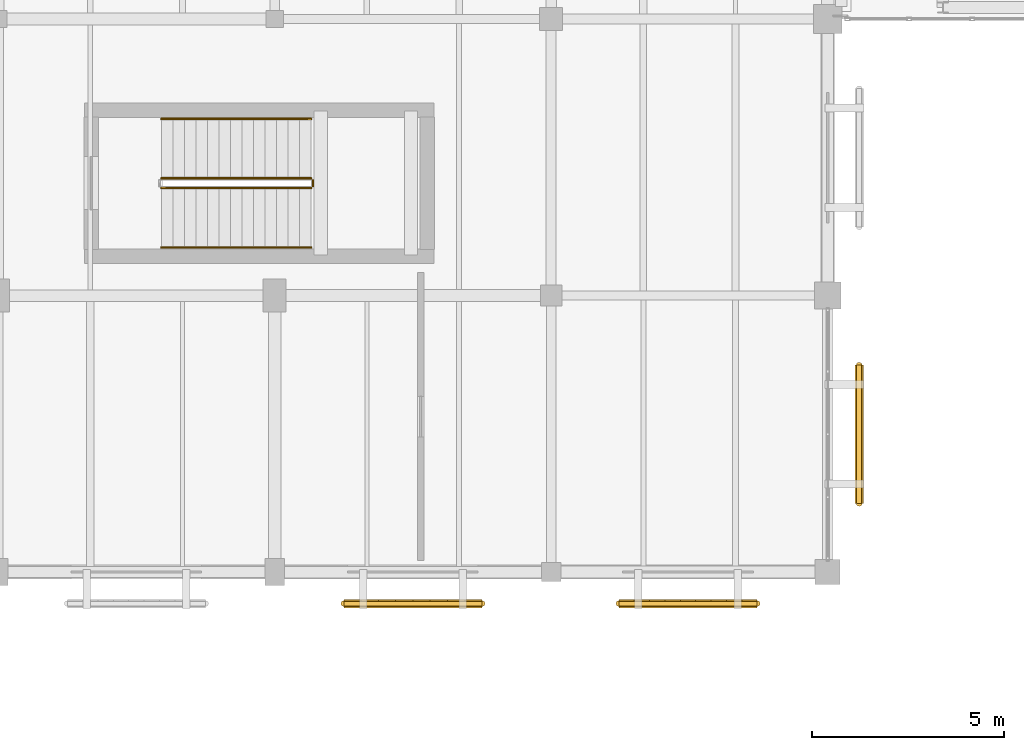
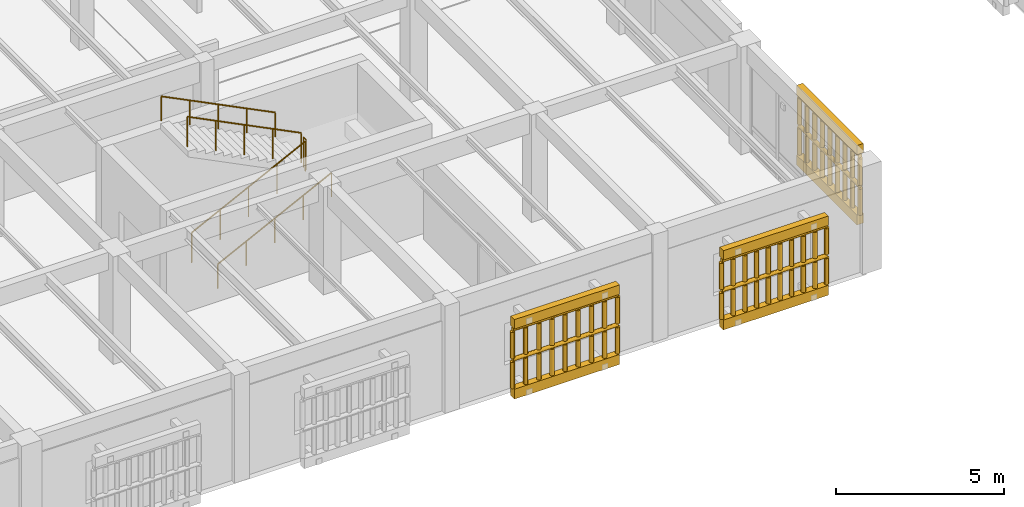
# One storey, part 149 of 170: 11 railings, 6 coverings.
"""IFC4 building model written with IfcOpenShell, lengths in metres."""

from ifc_helpers import new_model, si_unit, direction, frame, origin, origin_2d, place, context, subcontext, project, spatial, polyline, circle, outline, extrude, material, layer, layer_set, type_object, element, save


model = new_model("IFC4")

# Units and contexts
model_context = context("Model", 3, precision=1e-05, world=origin(), true_north=direction((0.0, 1.0)))
body_context = subcontext(model_context, "Body", "Model", "MODEL_VIEW")
ifc_project = project(units=[si_unit("LENGTHUNIT", "METRE"), si_unit("AREAUNIT", "SQUARE_METRE"), si_unit("VOLUMEUNIT", "CUBIC_METRE"), si_unit("PLANEANGLEUNIT", "RADIAN"), si_unit("MASSUNIT", "GRAM", prefix="KILO")], contexts=[model_context])

# Site, building, storey
site_placement = place(None, origin())
site = spatial("IfcSite", under=ifc_project, at=site_placement, CompositionType="ELEMENT")
building_placement = place(site_placement, origin())
building = spatial("IfcBuilding", under=site, at=building_placement, Name="Mazaris Harbour Polytechnic", CompositionType="ELEMENT")
storey_placement = place(building_placement, frame((0.0, 0.0, 5.39990234375)))
storey = spatial("IfcBuildingStorey", under=building, at=storey_placement, Name="L01", CompositionType="ELEMENT", Elevation=5.39990234375)

# Railings
ifc_material_1 = material(Name="Perforated Earth-Coloured Terracotta Block", Category="masonry")
railing_type_1 = type_object("IfcRailingType", Name="Perforated Earth-Block Claustra Lattice 1040", PredefinedType="BALUSTRADE", material=ifc_material_1)
for number, where, name in (
    (1, (34.199951171875, 6.3798828125, 0.52001953125), "V4 L01 Lower Perforated Terracotta Block Screen 159"),
    (2, (34.199951171875, 6.3798828125, 1.610107421875), "V4 L01 Upper Perforated Terracotta Block Screen 159"),
):
    element("IfcRailing", number, at=place(storey_placement, frame(where)), inside=storey, type_object=railing_type_1, Name=name, PredefinedType="BALUSTRADE", context=body_context, shape_type="SweptSolid", body=[
        extrude(circle(Radius=0.06982421875, at=origin_2d()), frame((0.0, 0.0, 1.02001953125), z_axis=(-1.0, 0.0, 0.0), x_axis=(0.0, -1.0, 0.0)), (0.0, 0.0, 1.0), 3.599853515625),
        extrude(circle(Radius=0.074951171875, at=origin_2d()), origin(), (0.0, 0.0, 1.0), 0.9501953125),
        extrude(circle(Radius=0.074951171875, at=origin_2d()), frame((-0.449951171875, 0.0, 0.0)), (0.0, 0.0, 1.0), 0.9501953125),
        extrude(circle(Radius=0.074951171875, at=origin_2d()), frame((-0.89990234375, 0.0, 0.0)), (0.0, 0.0, 1.0), 0.9501953125),
        extrude(circle(Radius=0.074951171875, at=origin_2d()), frame((-1.349853515625, 0.0, 0.0)), (0.0, 0.0, 1.0), 0.9501953125),
        extrude(circle(Radius=0.074951171875, at=origin_2d()), frame((-1.7998046875, 0.0, 0.0)), (0.0, 0.0, 1.0), 0.9501953125),
        extrude(circle(Radius=0.074951171875, at=origin_2d()), frame((-2.25, 0.0, 0.0)), (0.0, 0.0, 1.0), 0.9501953125),
        extrude(circle(Radius=0.074951171875, at=origin_2d()), frame((-2.699951171875, 0.0, 0.0)), (0.0, 0.0, 1.0), 0.9501953125),
        extrude(circle(Radius=0.074951171875, at=origin_2d()), frame((-3.14990234375, 0.0, 0.0)), (0.0, 0.0, 1.0), 0.9501953125),
        extrude(circle(Radius=0.074951171875, at=origin_2d()), frame((-3.599853515625, 0.0, 0.0)), (0.0, 0.0, 1.0), 0.9501953125),
    ])
for number, where, name in (
    (3, (41.362548828125, 6.3798828125, 0.52001953125), "V4 L01 Lower Perforated Terracotta Block Screen 160"),
    (4, (41.362548828125, 6.3798828125, 1.60498046875), "V4 L01 Upper Perforated Terracotta Block Screen 160"),
):
    element("IfcRailing", number, at=place(storey_placement, frame(where)), inside=storey, type_object=railing_type_1, Name=name, PredefinedType="BALUSTRADE", context=body_context, shape_type="SweptSolid", body=[
        extrude(circle(Radius=0.06982421875, at=origin_2d()), frame((0.0, 0.0, 1.01513671875), z_axis=(-1.0, 0.0, 0.0), x_axis=(0.0, -1.0, 0.0)), (0.0, 0.0, 1.0), 3.60009765625),
        extrude(circle(Radius=0.074951171875, at=origin_2d()), origin(), (0.0, 0.0, 1.0), 0.945068359375),
        extrude(circle(Radius=0.074951171875, at=origin_2d()), frame((-0.39990234375, 0.0, 0.0)), (0.0, 0.0, 1.0), 0.945068359375),
        extrude(circle(Radius=0.074951171875, at=origin_2d()), frame((-0.800048828125, 0.0, 0.0)), (0.0, 0.0, 1.0), 0.945068359375),
        extrude(circle(Radius=0.074951171875, at=origin_2d()), frame((-1.199951171875, 0.0, 0.0)), (0.0, 0.0, 1.0), 0.945068359375),
        extrude(circle(Radius=0.074951171875, at=origin_2d()), frame((-1.60009765625, 0.0, 0.0)), (0.0, 0.0, 1.0), 0.945068359375),
        extrude(circle(Radius=0.074951171875, at=origin_2d()), frame((-2.0, 0.0, 0.0)), (0.0, 0.0, 1.0), 0.945068359375),
        extrude(circle(Radius=0.074951171875, at=origin_2d()), frame((-2.400146484375, 0.0, 0.0)), (0.0, 0.0, 1.0), 0.945068359375),
        extrude(circle(Radius=0.074951171875, at=origin_2d()), frame((-2.800048828125, 0.0, 0.0)), (0.0, 0.0, 1.0), 0.945068359375),
        extrude(circle(Radius=0.074951171875, at=origin_2d()), frame((-3.2001953125, 0.0, 0.0)), (0.0, 0.0, 1.0), 0.945068359375),
        extrude(circle(Radius=0.074951171875, at=origin_2d()), frame((-3.60009765625, 0.0, 0.0)), (0.0, 0.0, 1.0), 0.945068359375),
    ])
for number, where, name in (
    (5, (44.02001953125, 12.58740234375, 0.52001953125), "V4 L01 Lower Perforated Terracotta Block Screen 179"),
    (6, (44.02001953125, 12.58740234375, 1.610107421875), "V4 L01 Upper Perforated Terracotta Block Screen 179"),
):
    element("IfcRailing", number, at=place(storey_placement, frame(where)), inside=storey, type_object=railing_type_1, Name=name, PredefinedType="BALUSTRADE", context=body_context, shape_type="SweptSolid", body=[
        extrude(circle(Radius=0.06982421875, at=origin_2d()), frame((0.0, 0.0, 1.02001953125), z_axis=(0.0, -1.0, 0.0), x_axis=(1.0, 0.0, 0.0)), (0.0, 0.0, 1.0), 3.599853515625),
        extrude(circle(Radius=0.074951171875, at=origin_2d()), origin(), (0.0, 0.0, 1.0), 0.9501953125),
        extrude(circle(Radius=0.074951171875, at=origin_2d()), frame((0.0, -0.449951171875, 0.0)), (0.0, 0.0, 1.0), 0.9501953125),
        extrude(circle(Radius=0.074951171875, at=origin_2d()), frame((0.0, -0.89990234375, 0.0)), (0.0, 0.0, 1.0), 0.9501953125),
        extrude(circle(Radius=0.074951171875, at=origin_2d()), frame((0.0, -1.349853515625, 0.0)), (0.0, 0.0, 1.0), 0.9501953125),
        extrude(circle(Radius=0.074951171875, at=origin_2d()), frame((0.0, -1.7998046875, 0.0)), (0.0, 0.0, 1.0), 0.9501953125),
        extrude(circle(Radius=0.074951171875, at=origin_2d()), frame((0.0, -2.25, 0.0)), (0.0, 0.0, 1.0), 0.9501953125),
        extrude(circle(Radius=0.074951171875, at=origin_2d()), frame((0.0, -2.699951171875, 0.0)), (0.0, 0.0, 1.0), 0.9501953125),
        extrude(circle(Radius=0.074951171875, at=origin_2d()), frame((0.0, -3.14990234375, 0.0)), (0.0, 0.0, 1.0), 0.9501953125),
        extrude(circle(Radius=0.074951171875, at=origin_2d()), frame((0.0, -3.599853515625, 0.0)), (0.0, 0.0, 1.0), 0.9501953125),
    ])
ifc_material_2 = material(Name="Stainless Steel S355", Category="steel")
railing_type_2 = type_object("IfcRailingType", Name="Stair Wall Handrail 900", PredefinedType="HANDRAIL", material=ifc_material_2)
railing_1_placement = place(storey_placement, frame((25.85009765625, 15.64990234375, 0.150146484375)))
element("IfcRailing", 7, at=railing_1_placement, inside=storey, type_object=railing_type_2, Name="L01 ST08 stair handrail 1", PredefinedType="HANDRAIL", context=body_context, shape_type="SweptSolid", body=[
    extrude(circle(Radius=0.02392578125, at=origin_2d()), frame((0.0, 0.0, 0.8759765625), z_axis=(0.894427191, 0.0, 0.4472135955), x_axis=(0.0, 1.0, 0.0)), (0.0, 0.0, 1.0), 4.360107421875),
    extrude(circle(Radius=0.02099609375, at=origin_2d()), origin(), (0.0, 0.0, 1.0), 0.851806640625),
    extrude(circle(Radius=0.02099609375, at=origin_2d()), frame((0.97509765625, 0.0, 0.487548828125)), (0.0, 0.0, 1.0), 0.851806640625),
    extrude(circle(Radius=0.02099609375, at=origin_2d()), frame((1.949951171875, 0.0, 0.97509765625)), (0.0, 0.0, 1.0), 0.851806640625),
    extrude(circle(Radius=0.02099609375, at=origin_2d()), frame((2.9248046875, 0.0, 1.46240234375)), (0.0, 0.0, 1.0), 0.851806640625),
    extrude(circle(Radius=0.02099609375, at=origin_2d()), frame((3.89990234375, 0.0, 1.949951171875)), (0.0, 0.0, 1.0), 0.851806640625),
])
railing_2_placement = place(storey_placement, frame((29.75, 19.0, 2.25)))
element("IfcRailing", 8, at=railing_2_placement, inside=storey, type_object=railing_type_2, Name="L01 ST08 stair handrail 2", PredefinedType="HANDRAIL", context=body_context, shape_type="SweptSolid", body=[
    extrude(circle(Radius=0.02392578125, at=origin_2d()), frame((0.0, 0.0, 0.8759765625), z_axis=(-0.894404793364, 0.0, 0.447258387967), x_axis=(0.0, -1.0, 0.0)), (0.0, 0.0, 1.0), 4.3603515625),
    extrude(circle(Radius=0.02099609375, at=origin_2d()), origin(), (0.0, 0.0, 1.0), 0.851806640625),
    extrude(circle(Radius=0.02099609375, at=origin_2d()), frame((-0.97509765625, 0.0, 0.487548828125)), (0.0, 0.0, 1.0), 0.851806640625),
    extrude(circle(Radius=0.02099609375, at=origin_2d()), frame((-1.949951171875, 0.0, 0.97509765625)), (0.0, 0.0, 1.0), 0.851806640625),
    extrude(circle(Radius=0.02099609375, at=origin_2d()), frame((-2.9248046875, 0.0, 1.462646484375)), (0.0, 0.0, 1.0), 0.851806640625),
    extrude(circle(Radius=0.02099609375, at=origin_2d()), frame((-3.89990234375, 0.0, 1.9501953125)), (0.0, 0.0, 1.0), 0.851806640625),
])
ifc_material_3 = material(Name="Steel S355", Category="steel")
railing_type_3 = type_object("IfcRailingType", Name="Stair Well Guardrail 1100", PredefinedType="GUARDRAIL", material=ifc_material_3)
railing_3_placement = place(storey_placement, frame((25.85009765625, 17.199951171875, 0.150146484375)))
element("IfcRailing", 9, at=railing_3_placement, inside=storey, type_object=railing_type_3, Name="L01 ST08 stair guard 1", PredefinedType="GUARDRAIL", context=body_context, shape_type="SweptSolid", body=[
    extrude(circle(Radius=0.02392578125, at=origin_2d()), frame((0.0, 0.0, 1.076171875), z_axis=(0.894427191, 0.0, 0.4472135955), x_axis=(0.0, 1.0, 0.0)), (0.0, 0.0, 1.0), 4.360107421875),
    extrude(circle(Radius=0.02099609375, at=origin_2d()), origin(), (0.0, 0.0, 1.0), 1.052001953125),
    extrude(circle(Radius=0.02099609375, at=origin_2d()), frame((0.97509765625, 0.0, 0.487548828125)), (0.0, 0.0, 1.0), 1.052001953125),
    extrude(circle(Radius=0.02099609375, at=origin_2d()), frame((1.949951171875, 0.0, 0.97509765625)), (0.0, 0.0, 1.0), 1.052001953125),
    extrude(circle(Radius=0.02099609375, at=origin_2d()), frame((2.9248046875, 0.0, 1.46240234375)), (0.0, 0.0, 1.0), 1.052001953125),
    extrude(circle(Radius=0.02099609375, at=origin_2d()), frame((3.89990234375, 0.0, 1.949951171875)), (0.0, 0.0, 1.0), 1.052001953125),
])
railing_4_placement = place(storey_placement, frame((29.800048828125, 17.25, 2.10009765625)))
element("IfcRailing", 10, at=railing_4_placement, inside=storey, type_object=railing_type_3, Name="L01 ST08 stair guard 2", PredefinedType="GUARDRAIL", context=body_context, shape_type="SweptSolid", body=[
    extrude(circle(Radius=0.02392578125, at=origin_2d()), frame((0.0, 0.0, 1.076171875), z_axis=(0.0, 1.0, 0.0), x_axis=(-1.0, 0.0, 0.0)), (0.0, 0.0, 1.0), 0.14990234375),
    extrude(circle(Radius=0.02099609375, at=origin_2d()), origin(), (0.0, 0.0, 1.0), 1.052001953125),
    extrude(circle(Radius=0.02099609375, at=origin_2d()), frame((0.0, 0.14990234375, 0.0)), (0.0, 0.0, 1.0), 1.052001953125),
])
railing_5_placement = place(storey_placement, frame((29.75, 17.449951171875, 2.25)))
element("IfcRailing", 11, at=railing_5_placement, inside=storey, type_object=railing_type_3, Name="L01 ST08 stair guard 3", PredefinedType="GUARDRAIL", context=body_context, shape_type="SweptSolid", body=[
    extrude(circle(Radius=0.02392578125, at=origin_2d()), frame((0.0, 0.0, 1.076171875), z_axis=(-0.894404793364, 0.0, 0.447258387967), x_axis=(0.0, -1.0, 0.0)), (0.0, 0.0, 1.0), 4.3603515625),
    extrude(circle(Radius=0.02099609375, at=origin_2d()), origin(), (0.0, 0.0, 1.0), 1.052001953125),
    extrude(circle(Radius=0.02099609375, at=origin_2d()), frame((-0.97509765625, 0.0, 0.487548828125)), (0.0, 0.0, 1.0), 1.052001953125),
    extrude(circle(Radius=0.02099609375, at=origin_2d()), frame((-1.949951171875, 0.0, 0.97509765625)), (0.0, 0.0, 1.0), 1.052001953125),
    extrude(circle(Radius=0.02099609375, at=origin_2d()), frame((-2.9248046875, 0.0, 1.462646484375)), (0.0, 0.0, 1.0), 1.052001953125),
    extrude(circle(Radius=0.02099609375, at=origin_2d()), frame((-3.89990234375, 0.0, 1.9501953125)), (0.0, 0.0, 1.0), 1.052001953125),
])

# Coverings
ifc_material_4 = material(Name="Perforated Earth-Coloured Terracotta Block", Category="masonry")
ifc_layer = layer(ifc_material_4, 0.219970703125, Name="Perforated Earth-Coloured Terracotta Block")
ifc_layer_set = layer_set([ifc_layer], Name="Perforated Earth-Coloured Terracotta Block")
covering_type = type_object("IfcCoveringType", Name="Terracotta Screen Course Cladding 220", PredefinedType="CLADDING", material=ifc_layer_set)
covering_1_placement = place(storey_placement, frame((0.0, 0.0, 0.16015625)))
element("IfcCovering", 12, at=covering_1_placement, inside=storey, type_object=covering_type, Name="V4 L01 Perforated Screen Sill Course 159", PredefinedType="CLADDING", context=body_context, shape_type="SweptSolid", body=[
    extrude(outline(polyline([(34.199951171875, 6.489990234375), (30.60009765625, 6.489990234375), (30.60009765625, 6.27001953125), (34.199951171875, 6.27001953125), (34.199951171875, 6.489990234375)])), origin(), (0.0, 0.0, 1.0), 0.35986328125),
])
covering_2_placement = place(storey_placement, frame((0.0, 0.0, 2.7001953125)))
element("IfcCovering", 13, at=covering_2_placement, inside=storey, type_object=covering_type, Name="V4 L01 Perforated Screen Lintel Course 159", PredefinedType="CLADDING", context=body_context, shape_type="SweptSolid", body=[
    extrude(outline(polyline([(34.199951171875, 6.489990234375), (30.60009765625, 6.489990234375), (30.60009765625, 6.27001953125), (34.199951171875, 6.27001953125), (34.199951171875, 6.489990234375)])), origin(), (0.0, 0.0, 1.0), 0.33984375),
])
covering_3_placement = place(storey_placement, frame((0.0, 0.0, 0.16015625)))
element("IfcCovering", 14, at=covering_3_placement, inside=storey, type_object=covering_type, Name="V4 L01 Perforated Screen Sill Course 160", PredefinedType="CLADDING", context=body_context, shape_type="SweptSolid", body=[
    extrude(outline(polyline([(41.362548828125, 6.489990234375), (37.762451171875, 6.489990234375), (37.762451171875, 6.27001953125), (41.362548828125, 6.27001953125), (41.362548828125, 6.489990234375)])), origin(), (0.0, 0.0, 1.0), 0.35986328125),
])
covering_4_placement = place(storey_placement, frame((0.0, 0.0, 2.690185546875)))
element("IfcCovering", 15, at=covering_4_placement, inside=storey, type_object=covering_type, Name="V4 L01 Perforated Screen Lintel Course 160", PredefinedType="CLADDING", context=body_context, shape_type="SweptSolid", body=[
    extrude(outline(polyline([(41.362548828125, 6.489990234375), (37.762451171875, 6.489990234375), (37.762451171875, 6.27001953125), (41.362548828125, 6.27001953125), (41.362548828125, 6.489990234375)])), origin(), (0.0, 0.0, 1.0), 0.33984375),
])
covering_5_placement = place(storey_placement, frame((0.0, 0.0, 0.16015625)))
element("IfcCovering", 16, at=covering_5_placement, inside=storey, type_object=covering_type, Name="V4 L01 Perforated Screen Sill Course 179", PredefinedType="CLADDING", context=body_context, shape_type="SweptSolid", body=[
    extrude(outline(polyline([(43.909912109375, 12.58740234375), (43.909912109375, 8.987548828125), (44.1298828125, 8.987548828125), (44.1298828125, 12.58740234375), (43.909912109375, 12.58740234375)])), origin(), (0.0, 0.0, 1.0), 0.35986328125),
])
covering_6_placement = place(storey_placement, frame((0.0, 0.0, 2.7001953125)))
element("IfcCovering", 17, at=covering_6_placement, inside=storey, type_object=covering_type, Name="V4 L01 Perforated Screen Lintel Course 179", PredefinedType="CLADDING", context=body_context, shape_type="SweptSolid", body=[
    extrude(outline(polyline([(43.909912109375, 12.58740234375), (43.909912109375, 8.987548828125), (44.1298828125, 8.987548828125), (44.1298828125, 12.58740234375), (43.909912109375, 12.58740234375)])), origin(), (0.0, 0.0, 1.0), 0.33984375),
])

save(model, "model.ifc")
